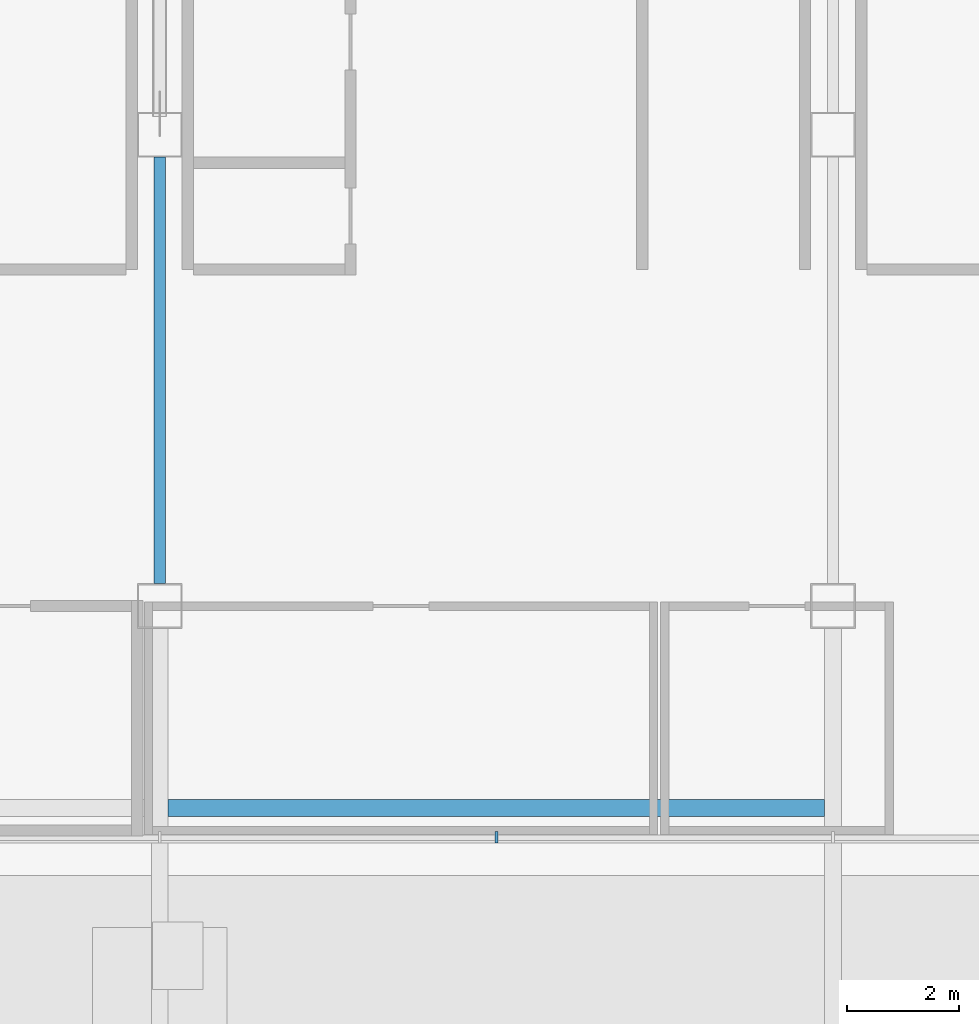
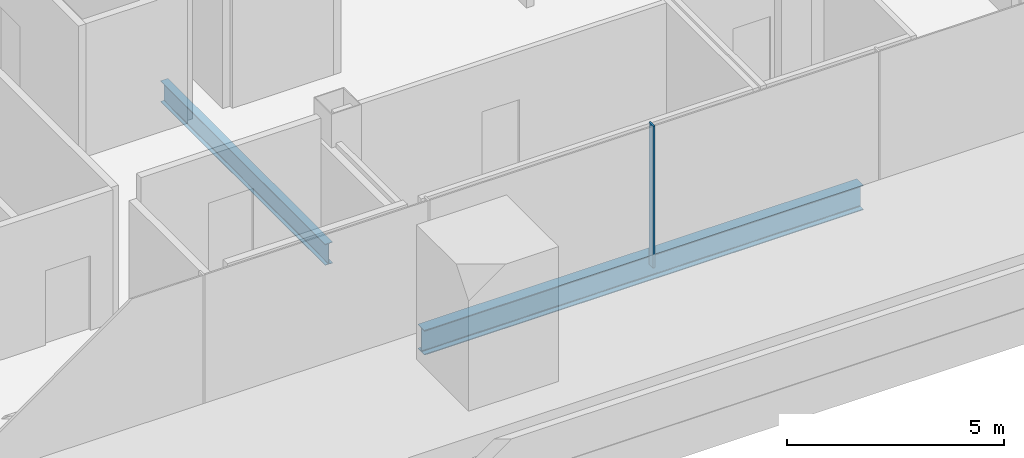
# One storey, part 5 of 18: 2 beams, 1 member, 1 element without a shape of its own.
"""IFC4 building model written with IfcOpenShell, lengths in metres."""

from ifc_helpers import new_model, si_unit, direction, frame, origin, origin_2d, place, context, subcontext, project, spatial, rectangle, i_section, extrude, material, material_profile, profile_set, type_object, element, aggregate, save


model = new_model("IFC4")

# Units and contexts
model_context = context("Model", 3, precision=1e-05, world=origin(), true_north=direction((0.0, 1.0)))
body_context = subcontext(model_context, "Body", "Model", "MODEL_VIEW")
ifc_project = project(units=[si_unit("LENGTHUNIT", "METRE"), si_unit("AREAUNIT", "SQUARE_METRE"), si_unit("VOLUMEUNIT", "CUBIC_METRE"), si_unit("PLANEANGLEUNIT", "RADIAN"), si_unit("MASSUNIT", "GRAM", prefix="KILO")], contexts=[model_context])

# Site, building, storey
site_placement = place(None, origin())
site = spatial("IfcSite", under=ifc_project, at=site_placement, CompositionType="ELEMENT")
building_placement = place(site_placement, origin())
building = spatial("IfcBuilding", under=site, at=building_placement, Name="Sorahane Residences", CompositionType="ELEMENT")
storey_placement = place(building_placement, frame((0.0, 0.0, 345.800048828125)))
storey = spatial("IfcBuildingStorey", under=building, at=storey_placement, Name="L82", CompositionType="ELEMENT", Elevation=345.800048828125)

# Curtain wall, member
ifc_material_1 = material(Name="Dark low-e glass and black anodised aluminium", Category="aluminium")
curtain_wall_type = type_object("IfcCurtainWallType", Name="Curtain wall CW-6 Crown unitised wall", PredefinedType="NOTDEFINED", material=ifc_material_1)
curtain_wall_placement = place(storey_placement, origin())
curtain_wall = element("IfcCurtainWall", 1, at=curtain_wall_placement, inside=storey, type_object=curtain_wall_type, Name="CW-6 curtain wall L82 S1", PredefinedType="NOTDEFINED")
ifc_material_2 = material(Name="Black anodised aluminium", Category="aluminium")
ifc_material_profile_1 = material_profile(ifc_material_2, rectangle(XDim=0.199951171875, YDim=0.050048828125, at=origin_2d()), Name="Curtain wall mullion CW-6 black anodised aluminium 50x200")
ifc_profile_set_1 = profile_set([ifc_material_profile_1], Name="Black anodised aluminium")
member_type = type_object("IfcMemberType", Name="Curtain wall mullion CW-6 black anodised aluminium 50x200", PredefinedType="MULLION", material=ifc_profile_set_1)
member_placement = place(storey_placement, frame((24.0, 17.47998046875, -0.25), z_axis=(0.0, 0.0, 1.0), x_axis=(0.0, -1.0, 0.0)))
member = element("IfcMember", 2, at=member_placement, type_object=member_type, Name="CW-6 mullion L82 S1.6", PredefinedType="MULLION", context=body_context, shape_type="SweptSolid", body=[
    extrude(rectangle(XDim=0.199951171875, YDim=0.050048828125, at=origin_2d()), origin(), (0.0, 0.0, 1.0), 4.0),
])
aggregate(curtain_wall, [member])

# Beams
ifc_material_3 = material(Name="Steel Q355B", Category="steel")
ifc_material_profile_2 = material_profile(ifc_material_3, i_section(OverallWidth=0.199951171875, OverallDepth=0.60009765625, WebThickness=0.010986328125, FlangeThickness=0.01708984375, FilletRadius=0.02392578125, at=origin_2d()), Name="HN 600x200x11x17")
ifc_profile_set_2 = profile_set([ifc_material_profile_2], Name="Steel Q355B")
beam_type_1 = type_object("IfcBeamType", Name="Steel floor beam HN 600x200x11x17 Q355B", PredefinedType="BEAM", material=ifc_profile_set_2)
beam_1_placement = place(storey_placement, frame((18.0, 22.0, -0.550048828125), z_axis=(0.0, 1.0, 0.0), x_axis=(-1.0, 0.0, 0.0)))
element("IfcBeam", 3, at=beam_1_placement, inside=storey, type_object=beam_type_1, Name="Beam L82 018", PredefinedType="BEAM", context=body_context, shape_type="SweptSolid", body=[
    extrude(i_section(OverallWidth=0.199951171875, OverallDepth=0.60009765625, WebThickness=0.010986328125, FlangeThickness=0.01708984375, FilletRadius=0.02392578125, at=origin_2d()), origin(), (0.0, 0.0, 1.0), 7.60009765625),
])
ifc_material_4 = material(Name="Steel Q355B", Category="steel")
ifc_material_profile_3 = material_profile(ifc_material_4, i_section(OverallWidth=0.300048828125, OverallDepth=0.699951171875, WebThickness=0.012939453125, FlangeThickness=0.02392578125, FilletRadius=0.028076171875, at=origin_2d()), Name="HN 700x300x13x24")
ifc_profile_set_3 = profile_set([ifc_material_profile_3], Name="Steel Q355B")
beam_type_2 = type_object("IfcBeamType", Name="Steel floor beam HN 700x300x13x24 Q355B", PredefinedType="BEAM", material=ifc_profile_set_3)
beam_2_placement = place(storey_placement, frame((18.14990234375, 18.0, -0.60009765625), z_axis=(1.0, 0.0, 0.0), x_axis=(0.0, 1.0, 0.0)))
element("IfcBeam", 4, at=beam_2_placement, inside=storey, type_object=beam_type_2, Name="Beam L82 033", PredefinedType="BEAM", context=body_context, shape_type="SweptSolid", body=[
    extrude(i_section(OverallWidth=0.300048828125, OverallDepth=0.699951171875, WebThickness=0.012939453125, FlangeThickness=0.02392578125, FilletRadius=0.028076171875, at=origin_2d()), origin(), (0.0, 0.0, 1.0), 11.7001953125),
])

save(model, "model.ifc")
